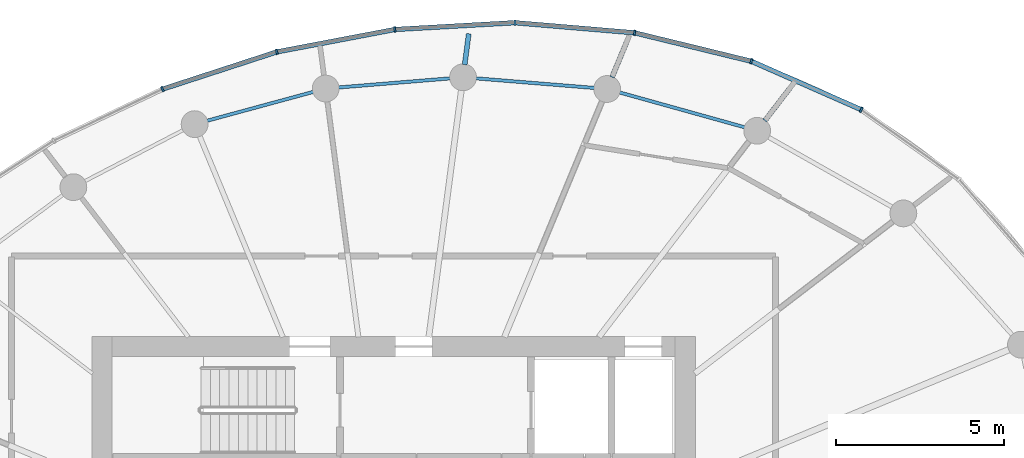
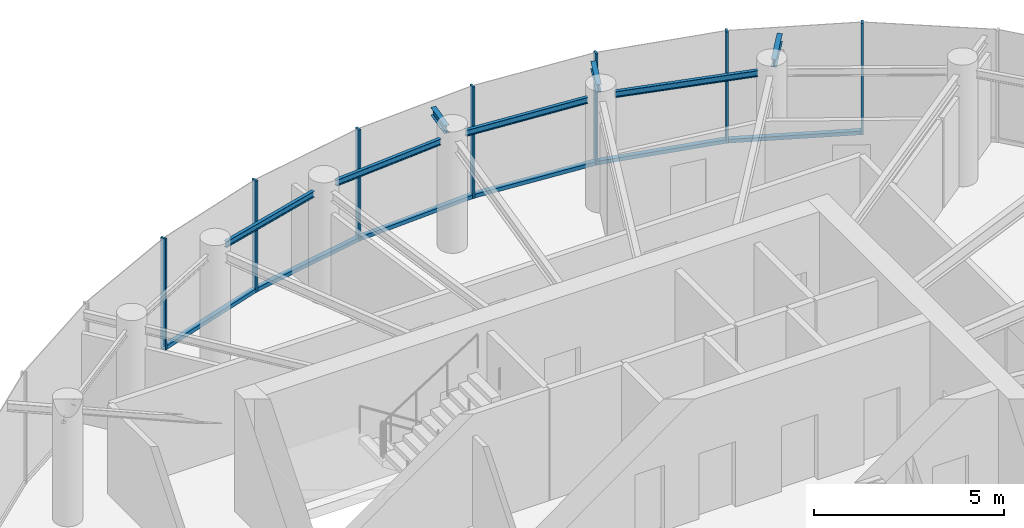
# One storey, part 6 of 13: 13 members, 7 beams, 2 elements without a shape of their own.
"""IFC4 building model written with IfcOpenShell, lengths in metres."""

from ifc_helpers import new_model, si_unit, direction, frame, origin, origin_2d, place, context, subcontext, project, spatial, rectangle, i_section, extrude, source, transform, mapped, material, layer, layer_set, material_profile, profile_set, type_object, element, aggregate, save


model = new_model("IFC4")

# Units and contexts
model_context = context("Model", 3, precision=1e-05, world=origin(), true_north=direction((0.0, 1.0)))
body_context = subcontext(model_context, "Body", "Model", "MODEL_VIEW")
ifc_project = project(units=[si_unit("LENGTHUNIT", "METRE"), si_unit("AREAUNIT", "SQUARE_METRE"), si_unit("VOLUMEUNIT", "CUBIC_METRE"), si_unit("PLANEANGLEUNIT", "RADIAN"), si_unit("MASSUNIT", "GRAM", prefix="KILO")], contexts=[model_context])

# Site, building, storey
site_placement = place(None, origin())
site = spatial("IfcSite", under=ifc_project, at=site_placement, CompositionType="ELEMENT")
building_placement = place(site_placement, origin())
building = spatial("IfcBuilding", under=site, at=building_placement, Name="Spindrift Exchange Tower", CompositionType="ELEMENT")
storey_placement = place(building_placement, frame((0.0, 0.0, 250.10009765625)))
storey = spatial("IfcBuildingStorey", under=building, at=storey_placement, Name="L61", CompositionType="ELEMENT", Elevation=250.10009765625)

# Beams
ifc_material_1 = material(Name="Steel Grade 300", Category="steel")
ifc_material_profile_1 = material_profile(ifc_material_1, i_section(OverallWidth=0.09912109375, OverallDepth=0.197998046875, WebThickness=0.00439453125, FlangeThickness=0.007080078125, FilletRadius=0.010986328125, at=origin_2d()), Name="200UB18.2")
ifc_profile_set_1 = profile_set([ifc_material_profile_1], Name="Steel Grade 300")
beam_type_1 = type_object("IfcBeamType", Name="Edge Beam 200UB18.2 Steel Grade 300", PredefinedType="SPANDREL", material=ifc_profile_set_1)
shared_shape_1 = source(origin(), body_context, "Body", "SweptSolid", [
    extrude(i_section(OverallWidth=0.09912109375, OverallDepth=0.197998046875, WebThickness=0.00439453125, FlangeThickness=0.007080078125, FilletRadius=0.010986328125, at=origin_2d()), origin(), (0.0, 0.0, 1.0), 3.885498046875),
])
beam_1_placement = place(storey_placement, frame((62.480712890625, 62.238037109375, 3.48095703125), z_axis=(-0.963333134661, 0.268308165482, 0.0), x_axis=(-0.268308165482, -0.963333134661, 0.0)))
element("IfcBeam", 1, at=beam_1_placement, inside=storey, type_object=beam_type_1, Name="L61 edge beam E04", PredefinedType="SPANDREL", context=body_context, shape_type="MappedRepresentation", body=[
    mapped(shared_shape_1, transform((0.0, 0.0, 0.0), scale=1.0)),
])
shared_shape_2 = source(origin(), body_context, "Body", "SweptSolid", [
    extrude(i_section(OverallWidth=0.09912109375, OverallDepth=0.197998046875, WebThickness=0.00439453125, FlangeThickness=0.007080078125, FilletRadius=0.010986328125, at=origin_2d()), origin(), (0.0, 0.0, 1.0), 3.5546875),
])
beam_2_placement = place(storey_placement, frame((57.992919921875, 63.413330078125, 3.48095703125), z_axis=(-0.996727103969, 0.080839842983, 0.0), x_axis=(-0.080839842983, -0.996727103969, 0.0)))
element("IfcBeam", 2, at=beam_2_placement, inside=storey, type_object=beam_type_1, Name="L61 edge beam E05", PredefinedType="SPANDREL", context=body_context, shape_type="MappedRepresentation", body=[
    mapped(shared_shape_2, transform((0.0, 0.0, 0.0), scale=1.0)),
])
shared_shape_3 = source(origin(), body_context, "Body", "SweptSolid", [
    extrude(i_section(OverallWidth=0.09912109375, OverallDepth=0.197998046875, WebThickness=0.00439453125, FlangeThickness=0.007080078125, FilletRadius=0.010986328125, at=origin_2d()), origin(), (0.0, 0.0, 1.0), 3.351806640625),
])
beam_3_placement = place(storey_placement, frame((53.6923828125, 63.7001953125, 3.48095703125), z_axis=(-0.996672670999, -0.081508201334, 0.0), x_axis=(0.081508201334, -0.996672670999, 0.0)))
element("IfcBeam", 3, at=beam_3_placement, inside=storey, type_object=beam_type_1, Name="L61 edge beam E06", PredefinedType="SPANDREL", context=body_context, shape_type="MappedRepresentation", body=[
    mapped(shared_shape_3, transform((0.0, 0.0, 0.0), scale=1.0)),
])
shared_shape_4 = source(origin(), body_context, "Body", "SweptSolid", [
    extrude(i_section(OverallWidth=0.09912109375, OverallDepth=0.197998046875, WebThickness=0.00439453125, FlangeThickness=0.007080078125, FilletRadius=0.010986328125, at=origin_2d()), origin(), (0.0, 0.0, 1.0), 3.2919921875),
])
beam_4_placement = place(storey_placement, frame((49.6064453125, 63.29638671875, 3.48095703125), z_axis=(-0.965045644564, -0.262081864896, 0.0), x_axis=(0.262081864896, -0.965045644564, 0.0)))
element("IfcBeam", 4, at=beam_4_placement, inside=storey, type_object=beam_type_1, Name="L61 edge beam E07", PredefinedType="SPANDREL", context=body_context, shape_type="MappedRepresentation", body=[
    mapped(shared_shape_4, transform((0.0, 0.0, 0.0), scale=1.0)),
])
ifc_material_profile_2 = material_profile(ifc_material_1, i_section(OverallWidth=0.14599609375, OverallDepth=0.251953125, WebThickness=0.006103515625, FlangeThickness=0.008544921875, FilletRadius=0.011962890625, at=origin_2d()), Name="250UB31.4")
ifc_profile_set_2 = profile_set([ifc_material_profile_2], Name="Steel Grade 300")
beam_type_2 = type_object("IfcBeamType", Name="Cantilever Beam 250UB31.4 Steel Grade 300", PredefinedType="BEAM", material=ifc_profile_set_2)
shared_shape_5 = source(origin(), body_context, "Body", "SweptSolid", [
    extrude(i_section(OverallWidth=0.14599609375, OverallDepth=0.251953125, WebThickness=0.006103515625, FlangeThickness=0.008544921875, FilletRadius=0.011962890625, at=origin_2d()), origin(), (0.0, 0.0, 1.0), 1.20556640625),
])
beam_5_placement = place(storey_placement, frame((63.078369140625, 62.4375, 3.453857421875), z_axis=(0.608712085113, 0.793391200756, 0.0), x_axis=(-0.793391200756, 0.608712085113, 0.0)))
element("IfcBeam", 5, at=beam_5_placement, inside=storey, type_object=beam_type_2, Name="L61 cantilever beam R04T", PredefinedType="BEAM", context=body_context, shape_type="MappedRepresentation", body=[
    mapped(shared_shape_5, transform((0.0, 0.0, 0.0), scale=1.0)),
])
shared_shape_6 = source(origin(), body_context, "Body", "SweptSolid", [
    extrude(i_section(OverallWidth=0.14599609375, OverallDepth=0.251953125, WebThickness=0.006103515625, FlangeThickness=0.008544921875, FilletRadius=0.011962890625, at=origin_2d()), origin(), (0.0, 0.0, 1.0), 1.097412109375),
])
beam_6_placement = place(storey_placement, frame((58.51708984375, 63.733642578125, 3.453857421875), z_axis=(0.382639962415, 0.923897537156, 0.0), x_axis=(-0.923897537156, 0.382639962415, 0.0)))
element("IfcBeam", 6, at=beam_6_placement, inside=storey, type_object=beam_type_2, Name="L61 cantilever beam R05T", PredefinedType="BEAM", context=body_context, shape_type="MappedRepresentation", body=[
    mapped(shared_shape_6, transform((0.0, 0.0, 0.0), scale=1.0)),
])
shared_shape_7 = source(origin(), body_context, "Body", "SweptSolid", [
    extrude(i_section(OverallWidth=0.14599609375, OverallDepth=0.251953125, WebThickness=0.006103515625, FlangeThickness=0.008544921875, FilletRadius=0.011962890625, at=origin_2d()), origin(), (0.0, 0.0, 1.0), 0.93115234375),
])
beam_7_placement = place(storey_placement, frame((54.12060546875, 64.108154296875, 3.453857421875), z_axis=(0.130583388046, 0.991437329722, 0.0), x_axis=(-0.991437329722, 0.130583388046, 0.0)))
element("IfcBeam", 7, at=beam_7_placement, inside=storey, type_object=beam_type_2, Name="L61 cantilever beam R06T", PredefinedType="BEAM", context=body_context, shape_type="MappedRepresentation", body=[
    mapped(shared_shape_7, transform((0.0, 0.0, 0.0), scale=1.0)),
])

# Curtain wall, members
ifc_material_2 = material(Name="Fritted laminated glass with bronze frame", Category="glass")
ifc_layer = layer(ifc_material_2, 0.159912109375)
ifc_layer_set = layer_set([ifc_layer], Name="ZONE 5 BRONZE FRITTED WALL")
curtain_wall_type = type_object("IfcCurtainWallType", Name="ZONE 5 BRONZE FRITTED WALL", PredefinedType="NOTDEFINED", material=ifc_layer_set)
curtain_wall_1_placement = place(storey_placement, origin())
curtain_wall_1 = element("IfcCurtainWall", 8, at=curtain_wall_1_placement, inside=storey, type_object=curtain_wall_type, Name="L61 Zone 5 Bronze Fritted Wall run 2", PredefinedType="NOTDEFINED")
ifc_material_3 = material(Name="Bronze anodised aluminium", Category="aluminium")
ifc_material_profile_3 = material_profile(ifc_material_3, rectangle(XDim=0.139892578125, YDim=0.1201171875, at=origin_2d()), Name="ZONE 5 BRONZE FRITTED WALL TRANSOM 140X120")
ifc_profile_set_3 = profile_set([ifc_material_profile_3], Name="Bronze anodised aluminium")
member_type_1 = type_object("IfcMemberType", Name="ZONE 5 BRONZE FRITTED WALL TRANSOM 140X120", PredefinedType="USERDEFINED", material=ifc_profile_set_3)
shared_shape_8 = source(origin(), body_context, "Body", "SweptSolid", [
    extrude(rectangle(XDim=0.139892578125, YDim=0.1201171875, at=origin_2d()), origin(), (0.0, 0.0, 1.0), 3.5263671875),
])
member_1_placement = place(storey_placement, frame((52.0078125, 65.1533203125, 0.059814453125), z_axis=(-0.982425721286, -0.186653963678, 0.0), x_axis=(0.186653963678, -0.982425721286, 0.0)))
member_1 = element("IfcMember", 9, at=member_1_placement, type_object=member_type_1, Name="L61 transom CW-5.8", ObjectType="TRANSOM", PredefinedType="USERDEFINED", context=body_context, shape_type="MappedRepresentation", body=[
    mapped(shared_shape_8, transform((0.0, 0.0, 0.0), scale=1.0)),
])
member_2_placement = place(storey_placement, frame((48.485595703125, 64.480224609375, 0.059814453125), z_axis=(-0.950821179804, -0.309740349384, 0.0), x_axis=(0.309740349384, -0.950821179804, 0.0)))
member_2 = element("IfcMember", 10, at=member_2_placement, type_object=member_type_1, Name="L61 transom CW-5.9", ObjectType="TRANSOM", PredefinedType="USERDEFINED", context=body_context, shape_type="MappedRepresentation", body=[
    mapped(shared_shape_8, transform((0.0, 0.0, 0.0), scale=1.0)),
])

# Curtain wall, member
curtain_wall_2_placement = place(storey_placement, origin())
curtain_wall_2 = element("IfcCurtainWall", 11, at=curtain_wall_2_placement, inside=storey, type_object=curtain_wall_type, Name="L61 Zone 5 Bronze Fritted Wall run 1", PredefinedType="NOTDEFINED")
shared_shape_9 = source(origin(), body_context, "Body", "SweptSolid", [
    extrude(rectangle(XDim=0.139892578125, YDim=0.1201171875, at=origin_2d()), origin(), (0.0, 0.0, 1.0), 3.525390625),
])
member_3_placement = place(storey_placement, frame((59.160400390625, 65.06201171875, 0.059814453125), z_axis=(-0.996459740434, 0.084071313148, 0.0), x_axis=(-0.084071313148, -0.996459740434, 0.0)))
member_3 = element("IfcMember", 12, at=member_3_placement, type_object=member_type_1, Name="L61 transom CW-5.6", ObjectType="TRANSOM", PredefinedType="USERDEFINED", context=body_context, shape_type="MappedRepresentation", body=[
    mapped(shared_shape_9, transform((0.0, 0.0, 0.0), scale=1.0)),
])

# Member
shared_shape_10 = source(origin(), body_context, "Body", "SweptSolid", [
    extrude(rectangle(XDim=0.139892578125, YDim=0.1201171875, at=origin_2d()), origin(), (0.0, 0.0, 1.0), 3.526123046875),
])
member_4_placement = place(storey_placement, frame((55.587646484375, 65.359130859375, 0.059814453125), z_axis=(-0.998414425295, -0.056290632993, 0.0), x_axis=(0.056290632993, -0.998414425295, 0.0)))
member_4 = element("IfcMember", 13, at=member_4_placement, type_object=member_type_1, Name="L61 transom CW-5.7", ObjectType="TRANSOM", PredefinedType="USERDEFINED", context=body_context, shape_type="MappedRepresentation", body=[
    mapped(shared_shape_10, transform((0.0, 0.0, 0.0), scale=1.0)),
])

ifc_material_profile_4 = material_profile(ifc_material_3, rectangle(XDim=0.06005859375, YDim=0.159912109375, at=origin_2d()), Name="ZONE 5 BRONZE FRITTED WALL MULLION 60X160")
ifc_profile_set_4 = profile_set([ifc_material_profile_4], Name="Bronze anodised aluminium")
member_type_2 = type_object("IfcMemberType", Name="ZONE 5 BRONZE FRITTED WALL MULLION 60X160", PredefinedType="MULLION", material=ifc_profile_set_4)
shared_shape_11 = source(origin(), body_context, "Body", "SweptSolid", [
    extrude(rectangle(XDim=0.06005859375, YDim=0.159912109375, at=origin_2d()), origin(), (0.0, 0.0, 1.0), 3.579833984375),
])
member_5_placement = place(storey_placement, frame((65.9521484375, 62.765380859375, 0.0), z_axis=(0.0, 0.0, 1.0), x_axis=(-0.869340627482, 0.494213388536, 0.0)))
member_5 = element("IfcMember", 14, at=member_5_placement, type_object=member_type_2, Name="L61 mullion CW-5.4", PredefinedType="MULLION", context=body_context, shape_type="MappedRepresentation", body=[
    mapped(shared_shape_11, transform((0.0, 0.0, 0.0), scale=1.0)),
])

member_6_placement = place(storey_placement, frame((62.673095703125, 64.21044921875, 0.0), z_axis=(0.0, 0.0, 1.0), x_axis=(-0.946977131243, 0.321300969347, 0.0)))
member_6 = element("IfcMember", 15, at=member_6_placement, type_object=member_type_2, Name="L61 mullion CW-5.5", PredefinedType="MULLION", context=body_context, shape_type="MappedRepresentation", body=[
    mapped(shared_shape_11, transform((0.0, 0.0, 0.0), scale=1.0)),
])

member_7_placement = place(storey_placement, frame((59.1904296875, 65.0595703125, 0.0), z_axis=(0.0, 0.0, 1.0), x_axis=(-0.986967477053, 0.160919853465, 0.0)))
member_7 = element("IfcMember", 16, at=member_7_placement, type_object=member_type_2, Name="L61 mullion CW-5.6", PredefinedType="MULLION", context=body_context, shape_type="MappedRepresentation", body=[
    mapped(shared_shape_11, transform((0.0, 0.0, 0.0), scale=1.0)),
])

member_8_placement = place(storey_placement, frame((55.61767578125, 65.36083984375, 0.0), z_axis=(0.0, 0.0, 1.0), x_axis=(-0.999903190039, 0.013914400833, 0.0)))
member_8 = element("IfcMember", 17, at=member_8_placement, type_object=member_type_2, Name="L61 mullion CW-5.7", PredefinedType="MULLION", context=body_context, shape_type="MappedRepresentation", body=[
    mapped(shared_shape_11, transform((0.0, 0.0, 0.0), scale=1.0)),
])

member_9_placement = place(storey_placement, frame((52.037109375, 65.158935546875, 0.0), z_axis=(0.0, 0.0, 1.0), x_axis=(-0.992561748726, -0.121742248077, 0.0)))
member_9 = element("IfcMember", 18, at=member_9_placement, type_object=member_type_2, Name="L61 mullion CW-5.8", PredefinedType="MULLION", context=body_context, shape_type="MappedRepresentation", body=[
    mapped(shared_shape_11, transform((0.0, 0.0, 0.0), scale=1.0)),
])

member_10_placement = place(storey_placement, frame((48.513916015625, 64.489501953125, 0.0), z_axis=(0.0, 0.0, 1.0), x_axis=(-0.96857705904, -0.248713652023, 0.0)))
member_10 = element("IfcMember", 19, at=member_10_placement, type_object=member_type_2, Name="L61 mullion CW-5.9", PredefinedType="MULLION", context=body_context, shape_type="MappedRepresentation", body=[
    mapped(shared_shape_11, transform((0.0, 0.0, 0.0), scale=1.0)),
])

member_11_placement = place(storey_placement, frame((45.10400390625, 63.378662109375, 0.0), z_axis=(0.0, 0.0, 1.0), x_axis=(-0.929214975689, -0.369539617571, 0.0)))
member_11 = element("IfcMember", 20, at=member_11_placement, type_object=member_type_2, Name="L61 mullion CW-5.10", PredefinedType="MULLION", context=body_context, shape_type="MappedRepresentation", body=[
    mapped(shared_shape_11, transform((0.0, 0.0, 0.0), scale=1.0)),
])

aggregate(curtain_wall_1, [member_8, member_4, member_9, member_1, member_10, member_2, member_11])

shared_shape_12 = source(origin(), body_context, "Body", "SweptSolid", [
    extrude(rectangle(XDim=0.139892578125, YDim=0.1201171875, at=origin_2d()), origin(), (0.0, 0.0, 1.0), 3.52490234375),
])
member_12_placement = place(storey_placement, frame((62.64404296875, 64.217529296875, 0.059814453125), z_axis=(-0.97153978024, 0.236876456008, 0.0), x_axis=(-0.236876456008, -0.97153978024, 0.0)))
member_12 = element("IfcMember", 21, at=member_12_placement, type_object=member_type_1, Name="L61 transom CW-5.5", ObjectType="TRANSOM", PredefinedType="USERDEFINED", context=body_context, shape_type="MappedRepresentation", body=[
    mapped(shared_shape_12, transform((0.0, 0.0, 0.0), scale=1.0)),
])

shared_shape_13 = source(origin(), body_context, "Body", "SweptSolid", [
    extrude(rectangle(XDim=0.139892578125, YDim=0.1201171875, at=origin_2d()), origin(), (0.0, 0.0, 1.0), 3.523681640625),
])
member_13_placement = place(storey_placement, frame((65.9248046875, 62.777587890625, 0.059814453125), z_axis=(-0.915087052789, 0.403256352482, 0.0), x_axis=(-0.403256352482, -0.915087052789, 0.0)))
member_13 = element("IfcMember", 22, at=member_13_placement, type_object=member_type_1, Name="L61 transom CW-5.4", ObjectType="TRANSOM", PredefinedType="USERDEFINED", context=body_context, shape_type="MappedRepresentation", body=[
    mapped(shared_shape_13, transform((0.0, 0.0, 0.0), scale=1.0)),
])

aggregate(curtain_wall_2, [member_5, member_13, member_6, member_12, member_7, member_3])

save(model, "model.ifc")
